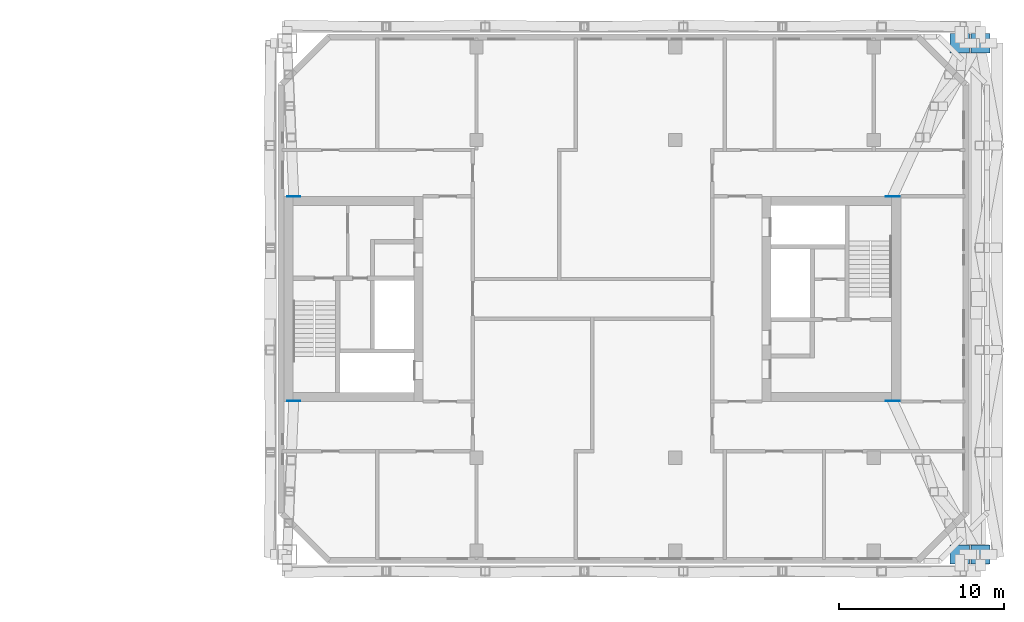
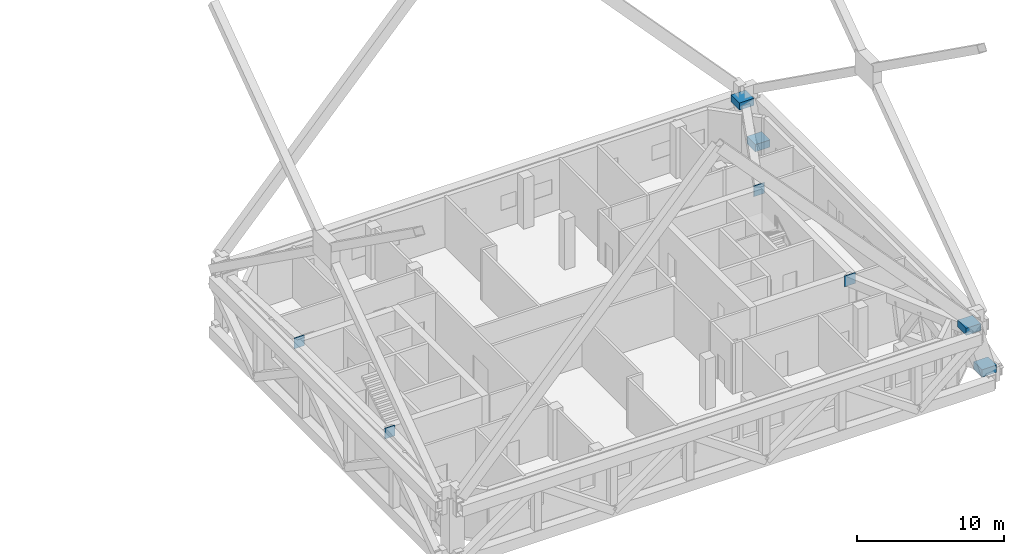
# One storey, part 21 of 22: 8 discrete accessories.
"""IFC4 building model written with IfcOpenShell, lengths in metres."""

from ifc_helpers import new_model, si_unit, direction, frame, origin, origin_2d, place, context, subcontext, project, spatial, rectangle, extrude, element, save


model = new_model("IFC4")

# Units and contexts
model_context = context("Model", 3, precision=1e-05, world=origin(), true_north=direction((0.0, 1.0)))
body_context = subcontext(model_context, "Body", "Model", "MODEL_VIEW")
ifc_project = project(units=[si_unit("LENGTHUNIT", "METRE"), si_unit("AREAUNIT", "SQUARE_METRE"), si_unit("VOLUMEUNIT", "CUBIC_METRE"), si_unit("PLANEANGLEUNIT", "RADIAN"), si_unit("MASSUNIT", "GRAM", prefix="KILO")], contexts=[model_context])

# Site, building, storey
site_placement = place(None, origin())
site = spatial("IfcSite", under=ifc_project, at=site_placement, CompositionType="ELEMENT")
building_placement = place(site_placement, origin())
building = spatial("IfcBuilding", under=site, at=building_placement, Name="Tuart Gate Housing", CompositionType="ELEMENT")
storey_placement = place(building_placement, frame((0.0, 0.0, 115.0)))
storey = spatial("IfcBuildingStorey", under=building, at=storey_placement, Name="L32", CompositionType="ELEMENT", Elevation=115.0)

# Discrete accessories
for number, where, z_axis, x_axis, name in (
    (1, (173.449951171875, 54.550048828125, 0.0), (0.0, 0.0, 1.0), (1.0, 0.0, 0.0), "Mega column node B south-east foot L32"),
    (2, (172.199951171875, 54.550048828125, 3.89990234375), (0.0, 0.0, 1.0), (1.0, 0.0, 0.0), "Mega column node B south-east head L32"),
    (3, (173.449951171875, 85.449951171875, 0.0), (0.0, 0.0, 1.0), (1.0, 0.0, 0.0), "Mega column node B north-east foot L32"),
    (4, (172.199951171875, 85.449951171875, 3.89990234375), (0.0, 0.0, 1.0), (1.0, 0.0, 0.0), "Mega column node B north-east head L32"),
):
    element("IfcDiscreteAccessory", number, at=place(storey_placement, frame(where, z_axis=z_axis, x_axis=x_axis)), inside=storey, Name=name, ObjectType="Mega column node", PredefinedType="USERDEFINED", context=body_context, shape_type="SweptSolid", body=[
        extrude(rectangle(XDim=1.152099609375, YDim=1.152099609375, at=origin_2d()), origin(), (0.0, 0.0, 1.0), 0.60009765625),
    ])
for number, where, z_axis, x_axis, name in (
    (5, (168.154541015625, 63.820068359375, 3.35009765625), (0.0, 0.0, 1.0), (1.0, 0.0, 0.0), "Outrigger embed plate BK south L32"),
    (6, (168.154541015625, 76.179931640625, 3.35009765625), (0.0, 0.0, 1.0), (1.0, 0.0, 0.0), "Outrigger embed plate BK north L32"),
):
    element("IfcDiscreteAccessory", number, at=place(storey_placement, frame(where, z_axis=z_axis, x_axis=x_axis)), inside=storey, Name=name, PredefinedType="ANCHORPLATE", context=body_context, shape_type="SweptSolid", body=[
        extrude(rectangle(XDim=0.860107421875, YDim=0.0400390625, at=origin_2d()), origin(), (0.0, 0.0, 1.0), 0.89990234375),
    ])
for number, where, z_axis, x_axis, name in (
    (7, (131.94921875, 63.820068359375, 3.35009765625), (0.0, 0.0, 1.0), (1.0, 0.0, 0.0), "Outrigger embed plate BG south L32"),
    (8, (131.94921875, 76.179931640625, 3.35009765625), (0.0, 0.0, 1.0), (1.0, 0.0, 0.0), "Outrigger embed plate BG north L32"),
):
    element("IfcDiscreteAccessory", number, at=place(storey_placement, frame(where, z_axis=z_axis, x_axis=x_axis)), inside=storey, Name=name, PredefinedType="ANCHORPLATE", context=body_context, shape_type="SweptSolid", body=[
        extrude(rectangle(XDim=0.800537109375, YDim=0.0400390625, at=origin_2d()), origin(), (0.0, 0.0, 1.0), 0.89990234375),
    ])

save(model, "model.ifc")
